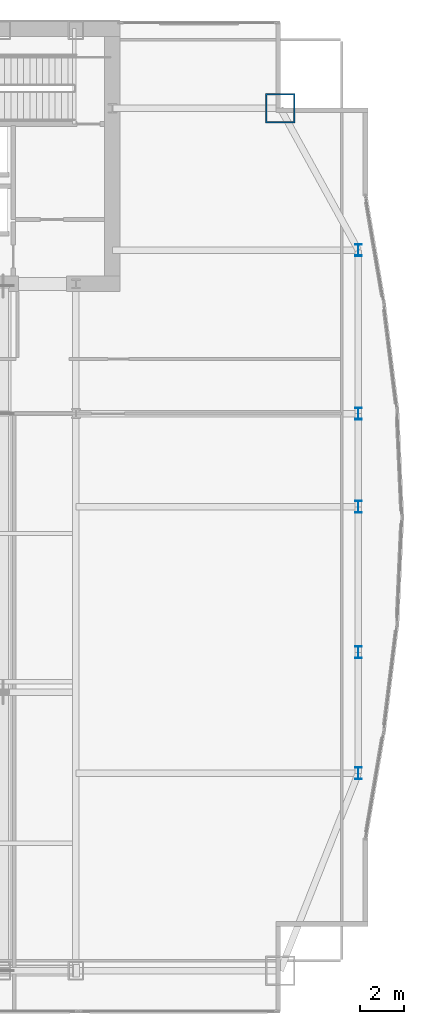
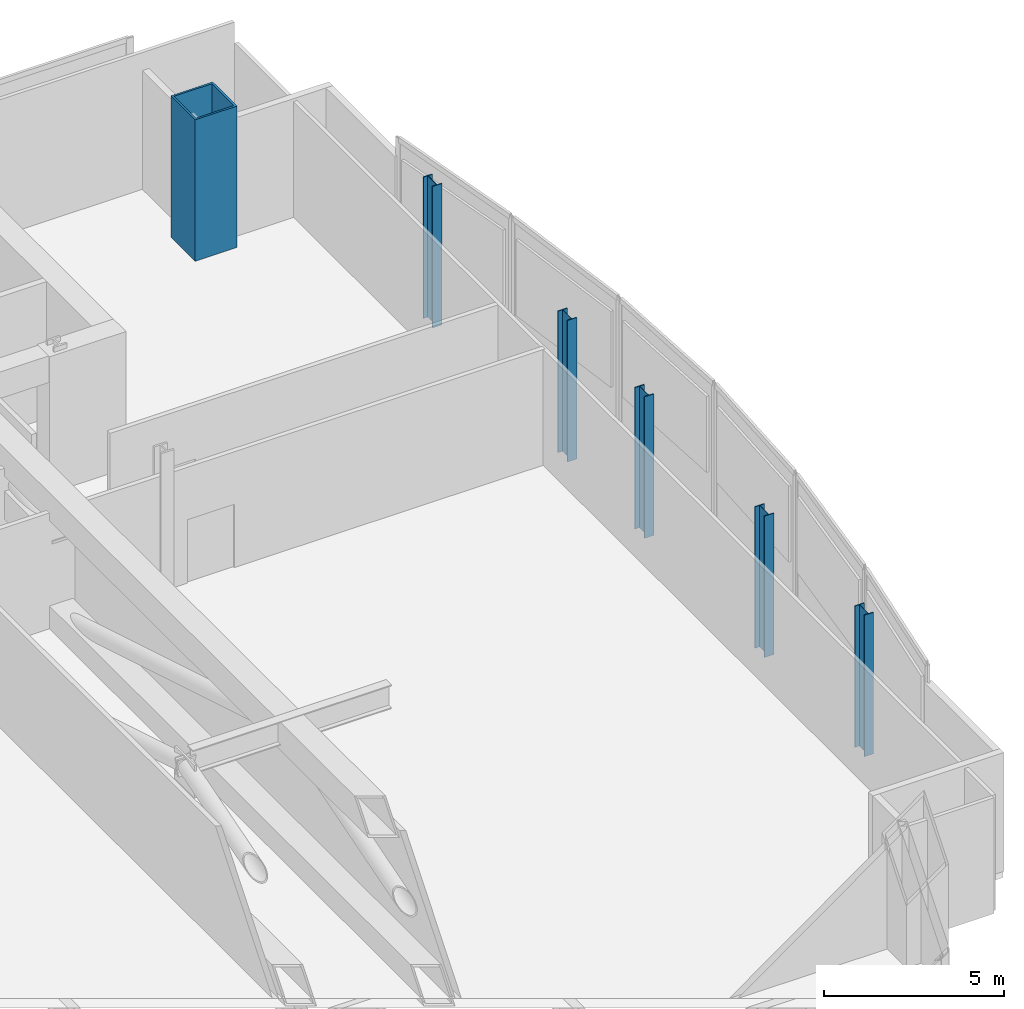
# One storey, part 4 of 30: 6 columns.
"""IFC4 building model written with IfcOpenShell, lengths in metres."""

from ifc_helpers import new_model, si_unit, direction, frame, origin, origin_2d, place, context, subcontext, project, spatial, hollow_rectangle, i_section, extrude, material, material_profile, profile_set, type_object, element, save


model = new_model("IFC4")

# Units and contexts
model_context = context("Model", 3, precision=1e-05, world=origin(), true_north=direction((0.0, 1.0)))
body_context = subcontext(model_context, "Body", "Model", "MODEL_VIEW")
ifc_project = project(units=[si_unit("LENGTHUNIT", "METRE"), si_unit("AREAUNIT", "SQUARE_METRE"), si_unit("VOLUMEUNIT", "CUBIC_METRE"), si_unit("PLANEANGLEUNIT", "RADIAN"), si_unit("MASSUNIT", "GRAM", prefix="KILO")], contexts=[model_context])

# Site, building, storey
site_placement = place(None, origin())
site = spatial("IfcSite", under=ifc_project, at=site_placement, CompositionType="ELEMENT")
building_placement = place(site_placement, origin())
building = spatial("IfcBuilding", under=site, at=building_placement, Name="Khoronbel Lancet Exchange", CompositionType="ELEMENT")
storey_placement = place(building_placement, frame((0.0, 0.0, 172.199951171875)))
storey = spatial("IfcBuildingStorey", under=building, at=storey_placement, Name="L43", CompositionType="ELEMENT", Elevation=172.199951171875)

# Columns
ifc_material_1 = material(Name="Steel S355", Category="steel")
ifc_material_profile_1 = material_profile(ifc_material_1, i_section(OverallWidth=0.300048828125, OverallDepth=0.550048828125, WebThickness=0.014892578125, FlangeThickness=0.029052734375, at=origin_2d()), Name="HEB 550")
ifc_profile_set_1 = profile_set([ifc_material_profile_1], Name="Steel S355")
column_type_1 = type_object("IfcColumnType", Name="COL-LC1", PredefinedType="COLUMN", material=ifc_profile_set_1)
for number, where, z_axis, x_axis, name in (
    (1, (67.6298828125, 19.199951171875, 0.0), (0.0, 0.0, 1.0), (1.0, 0.0, 0.0), "Structural column EC-1 L43"),
    (2, (67.6298828125, 24.75, 0.0), (0.0, 0.0, 1.0), (1.0, 0.0, 0.0), "Structural column EC-2 L43"),
    (3, (67.6298828125, 31.425048828125, 0.0), (0.0, 0.0, 1.0), (1.0, 0.0, 0.0), "Structural column EC-M L43"),
    (4, (67.6298828125, 35.699951171875, 0.0), (0.0, 0.0, 1.0), (1.0, 0.0, 0.0), "Structural column EC-3 L43"),
    (5, (67.6298828125, 43.199951171875, 0.0), (0.0, 0.0, 1.0), (1.0, 0.0, 0.0), "Structural column EC-4 L43"),
):
    element("IfcColumn", number, at=place(storey_placement, frame(where, z_axis=z_axis, x_axis=x_axis)), inside=storey, type_object=column_type_1, Name=name, PredefinedType="COLUMN", context=body_context, shape_type="SweptSolid", body=[
        extrude(i_section(OverallWidth=0.300048828125, OverallDepth=0.550048828125, WebThickness=0.014892578125, FlangeThickness=0.029052734375, at=origin_2d()), origin(), (0.0, 0.0, 1.0), 4.800048828125),
    ])
ifc_material_2 = material(Name="Steel S460", Category="steel")
ifc_material_profile_2 = material_profile(ifc_material_2, hollow_rectangle(XDim=1.35009765625, YDim=1.35009765625, WallThickness=0.06494140625, at=origin_2d()), Name="BOX 1350x1350x65")
ifc_profile_set_2 = profile_set([ifc_material_profile_2], Name="Steel S460")
column_type_2 = type_object("IfcColumnType", Name="COL-MC4", PredefinedType="COLUMN", material=ifc_profile_set_2)
column_placement = place(storey_placement, frame((64.050048828125, 49.699951171875, 0.0), z_axis=(0.0, 0.0, 1.0), x_axis=(1.0, 0.0, 0.0)))
element("IfcColumn", 6, at=column_placement, inside=storey, type_object=column_type_2, Name="Structural column MC-NE L43", PredefinedType="COLUMN", context=body_context, shape_type="SweptSolid", body=[
    extrude(hollow_rectangle(XDim=1.35009765625, YDim=1.35009765625, WallThickness=0.06494140625, at=origin_2d()), origin(), (0.0, 0.0, 1.0), 4.800048828125),
])

save(model, "model.ifc")
